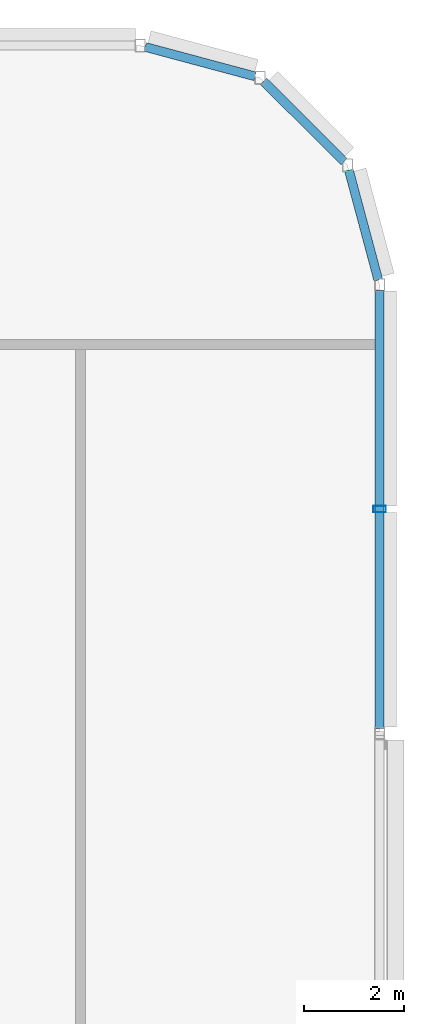
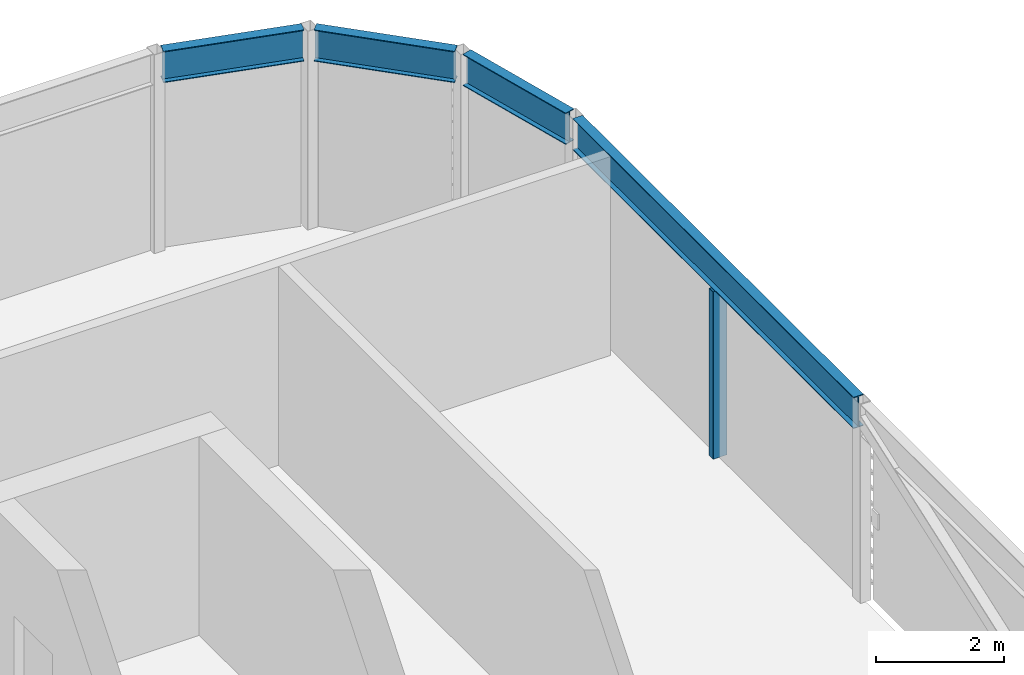
# One storey, part 14 of 28: 4 beams, 1 member.
"""IFC4 building model written with IfcOpenShell, lengths in metres."""

import ifcopenshell
import ifcopenshell.guid

model = None  # the IFC model being written
_history = None  # IfcOwnerHistory: only IFC2X3 demands one
_inside = {}  # id of a spatial element -> (the spatial element, [elements in it])
_under = {}  # id of a project, library or spatial element -> (it, [spatial elements below it])
_declared = {}  # id of a project -> (the project, [libraries it declares])
_typed = {}  # id of a type object -> (the type object, [elements of that type])
_made_of = {}  # id of a material, layer set ... -> (it, [elements and type objects made of it])


def new_model(schema):
    """Start an empty IFC model of exactly this schema.

    Asked for "IFC4X3", IfcOpenShell would pick the latest addendum, in which some entities
    have other attributes; the version numbers below select the first issue.
    IFC2X3 requires an IfcOwnerHistory on every rooted entity: one is made here for all.
    """
    global model, _history
    if schema == "IFC4X3":
        model = ifcopenshell.file(schema_version=(4, 3, 0, 0))
    else:
        model = ifcopenshell.file(schema=schema)
    _inside.clear()
    _under.clear()
    _declared.clear()
    _typed.clear()
    _made_of.clear()
    _history = None
    if model.schema == "IFC2X3":
        org = make("IfcOrganization", Name="unknown")
        user = make(
            "IfcPersonAndOrganization",
            ThePerson=make("IfcPerson", FamilyName="unknown"),
            TheOrganization=org,
        )
        app = make(
            "IfcApplication",
            ApplicationDeveloper=org,
            Version="unknown",
            ApplicationFullName="unknown",
            ApplicationIdentifier="unknown",
        )
        _history = make(
            "IfcOwnerHistory",
            OwningUser=user,
            OwningApplication=app,
            ChangeAction="ADDED",
            CreationDate=0,
        )
    return model


def make(cls, **values):
    """One entity of the class cls with the attributes given. An attribute that is None is left unset."""
    return model.create_entity(
        cls, **{name: value for name, value in values.items() if value is not None}
    )


def rooted(cls, **values):
    """An entity with a GlobalId (a new one), such as an element, a storey or a relation."""
    return make(cls, GlobalId=ifcopenshell.guid.new(), OwnerHistory=_history, **values)


def si_unit(unit_type, name, prefix=None):
    """IfcSIUnit, for example si_unit("LENGTHUNIT", "METRE", prefix="MILLI")."""
    return make("IfcSIUnit", UnitType=unit_type, Prefix=prefix, Name=name)


def assignment(units):
    """IfcUnitAssignment: the units of a project."""
    return None if units is None else make("IfcUnitAssignment", Units=units)


def point(xyz):
    """IfcCartesianPoint."""
    return None if xyz is None else make("IfcCartesianPoint", Coordinates=xyz)


def direction(xyz):
    """IfcDirection."""
    return None if xyz is None else make("IfcDirection", DirectionRatios=xyz)


def frame(location, z_axis=None, x_axis=None):
    """IfcAxis2Placement3D, a coordinate frame: its origin and axes. An axis left out is left unset."""
    return make(
        "IfcAxis2Placement3D",
        Location=point(location),
        Axis=direction(z_axis),
        RefDirection=direction(x_axis),
    )


def frame_2d(location, x_axis=None):
    """IfcAxis2Placement2D, a coordinate frame in the plane: its origin and x axis."""
    return make(
        "IfcAxis2Placement2D", Location=point(location), RefDirection=direction(x_axis)
    )


def origin():
    """The frame at (0, 0, 0) with its axes left unset."""
    return frame((0.0, 0.0, 0.0))


def origin_2d():
    """The frame at (0, 0) in the plane with its x axis left unset."""
    return frame_2d((0.0, 0.0))


def place(relative_to, where):
    """IfcLocalPlacement: puts the frame where relative to a parent placement (None: the world)."""
    return make(
        "IfcLocalPlacement", PlacementRelTo=relative_to, RelativePlacement=where
    )


def context(
    kind, dimensions, precision=None, world=None, true_north=None, identifier=None
):
    """IfcGeometricRepresentationContext, for example the 3D "Model" context."""
    return make(
        "IfcGeometricRepresentationContext",
        ContextIdentifier=identifier,
        ContextType=kind,
        CoordinateSpaceDimension=dimensions,
        Precision=precision,
        WorldCoordinateSystem=world,
        TrueNorth=true_north,
    )


def subcontext(parent, identifier, kind, view, scale=None):
    """IfcGeometricRepresentationSubContext, for example "Body" below "Model"."""
    return make(
        "IfcGeometricRepresentationSubContext",
        ContextIdentifier=identifier,
        ContextType=kind,
        ParentContext=parent,
        TargetScale=scale,
        TargetView=view,
    )


def project(units=None, contexts=None):
    """IfcProject with its units and contexts."""
    return rooted(
        "IfcProject",
        Name="project",
        RepresentationContexts=contexts,
        UnitsInContext=assignment(units),
    )


def spatial(cls, under=None, at=None, **own):
    """A site, building, storey or space (cls), placed at a placement, below another one or the project."""
    s = rooted(cls, ObjectPlacement=at, **own)
    if under is not None:
        _under.setdefault(under.id(), (under, []))[1].append(s)
    return s


def profile(cls, at=None, kind="AREA", **sizes):
    """A parametric profile (cls). Its sizes go by their IFC names, for example OverallWidth=200.0."""
    return make(cls, ProfileType=kind, Position=at, **sizes)


def hollow_rectangle(**sizes):
    """IfcRectangleHollowProfileDef."""
    return profile("IfcRectangleHollowProfileDef", **sizes)


def i_section(**sizes):
    """IfcIShapeProfileDef."""
    return profile("IfcIShapeProfileDef", **sizes)


def extrude(swept, where, along, depth):
    """IfcExtrudedAreaSolid: the profile swept, set in the frame where, extruded along a direction by depth."""
    return make(
        "IfcExtrudedAreaSolid",
        SweptArea=swept,
        Position=where,
        ExtrudedDirection=direction(along),
        Depth=depth,
    )


def shape(context_of_items, identifier, shape_type, items):
    """IfcShapeRepresentation: the items that make up one representation, for example the "Body"."""
    return make(
        "IfcShapeRepresentation",
        ContextOfItems=context_of_items,
        RepresentationIdentifier=identifier,
        RepresentationType=shape_type,
        Items=items,
    )


def material(Name=None, Category=None):
    """IfcMaterial."""
    return make("IfcMaterial", Name=Name, Category=Category)


def material_profile(
    of_material, cross_section, Name=None, Category=None, Priority=None
):
    """IfcMaterialProfile: a cross section and its material."""
    return make(
        "IfcMaterialProfile",
        Name=Name,
        Material=of_material,
        Profile=cross_section,
        Priority=Priority,
        Category=Category,
    )


def profile_set(profiles, Name=None, composite=None):
    """IfcMaterialProfileSet."""
    return make(
        "IfcMaterialProfileSet",
        Name=Name,
        MaterialProfiles=profiles,
        CompositeProfile=composite,
    )


def made_of(thing, what):
    """Note that an element or type object is made of a material, layer set ...; save() writes the relation."""
    if what is not None:
        _made_of.setdefault(what.id(), (what, []))[1].append(thing)
    return thing


def type_object(cls, material=None, **own):
    """A type object (cls), such as IfcWallType, which elements share."""
    return made_of(rooted(cls, **own), material)


def element(
    cls,
    number,
    at=None,
    inside=None,
    cuts=None,
    type_object=None,
    material=None,
    context=None,
    identifier="Body",
    shape_type=None,
    held_by="IfcProductDefinitionShape",
    body=None,
    shapes=None,
    **own,
):
    """One element of the class cls, such as IfcWall. Its Tag is "e" and its number.

    at: its placement. inside: the storey or other place that contains it. cuts: it is an
    opening in that element (IfcRelVoidsElement). A single representation is given by context,
    identifier, shape_type and body (its items); several are given by shapes. held_by: the class
    of the entity that holds the representations. save() writes the other relations.
    """
    e = rooted(cls, Tag="e%d" % number, ObjectPlacement=at, **own)
    if body is not None:
        shapes = [shape(context, identifier, shape_type, body)]
    if shapes is not None:
        e.Representation = make(held_by, Representations=shapes)
    if inside is not None:
        _inside.setdefault(inside.id(), (inside, []))[1].append(e)
    if cuts is not None:
        rooted(
            "IfcRelVoidsElement", RelatingBuildingElement=cuts, RelatedOpeningElement=e
        )
    if type_object is not None:
        _typed.setdefault(type_object.id(), (type_object, []))[1].append(e)
    return made_of(e, material)


def aggregate(whole, parts):
    """IfcRelAggregates: a whole, such as a stair, and the parts it consists of."""
    return rooted("IfcRelAggregates", RelatingObject=whole, RelatedObjects=parts)


def save(model, path):
    """Write the relations noted so far, then the file.

    IfcRelAggregates (storeys below a building ...), IfcRelContainedInSpatialStructure (elements
    in a storey), IfcRelDefinesByType, IfcRelAssociatesMaterial and IfcRelDeclares: one each for
    every whole, place, type object, material and project.
    """
    for whole, parts in _under.values():
        aggregate(whole, parts)
    for where, things in _inside.values():
        rooted(
            "IfcRelContainedInSpatialStructure",
            RelatedElements=things,
            RelatingStructure=where,
        )
    for kind, things in _typed.values():
        rooted("IfcRelDefinesByType", RelatedObjects=things, RelatingType=kind)
    for what, things in _made_of.values():
        rooted("IfcRelAssociatesMaterial", RelatedObjects=things, RelatingMaterial=what)
    for by, libraries in _declared.values():
        rooted("IfcRelDeclares", RelatingContext=by, RelatedDefinitions=libraries)
    model.write(path)


model = new_model("IFC4")

# Units and contexts
model_context = context("Model", 3, precision=1e-05, world=origin(), true_north=direction((0.0, 1.0)))
body_context = subcontext(model_context, "Body", "Model", "MODEL_VIEW")
ifc_project = project(units=[si_unit("LENGTHUNIT", "METRE"), si_unit("AREAUNIT", "SQUARE_METRE"), si_unit("VOLUMEUNIT", "CUBIC_METRE"), si_unit("PLANEANGLEUNIT", "RADIAN"), si_unit("MASSUNIT", "GRAM", prefix="KILO")], contexts=[model_context])

# Site, building, storey
site_placement = place(None, origin())
site = spatial("IfcSite", under=ifc_project, at=site_placement, CompositionType="ELEMENT")
building_placement = place(site_placement, origin())
building = spatial("IfcBuilding", under=site, at=building_placement, Name="Madar Terraces", CompositionType="ELEMENT")
storey_placement = place(building_placement, frame((0.0, 0.0, 310.10009765625)))
storey = spatial("IfcBuildingStorey", under=building, at=storey_placement, Name="L80", CompositionType="ELEMENT", Elevation=310.10009765625)

# Beams
ifc_material_1 = material(Name="Steel ASTM A992 Grade 50", Category="steel")
ifc_material_profile_1 = material_profile(ifc_material_1, i_section(OverallWidth=0.1787109375, OverallDepth=0.60205078125, WebThickness=0.010986328125, FlangeThickness=0.014892578125, at=origin_2d()), Name="W24x62")
ifc_profile_set_1 = profile_set([ifc_material_profile_1], Name="Steel ASTM A992 Grade 50")
beam_type = type_object("IfcBeamType", Name="CF2 W24x62", PredefinedType="BEAM", material=ifc_profile_set_1)
beam_1_placement = place(storey_placement, frame((56.39990234375, 33.1015625, 3.4990234375), z_axis=(0.0, 1.0, 0.0), x_axis=(-1.0, 0.0, 0.0)))
element("IfcBeam", 1, at=beam_1_placement, inside=storey, type_object=beam_type, Name="Crown frame ring beam CF2", PredefinedType="BEAM", context=body_context, shape_type="SweptSolid", body=[
    extrude(i_section(OverallWidth=0.1787109375, OverallDepth=0.60205078125, WebThickness=0.010986328125, FlangeThickness=0.014892578125, at=origin_2d()), origin(), (0.0, 0.0, 1.0), 8.796875),
])
beam_2_placement = place(storey_placement, frame((56.373779296875, 42.09814453125, 3.4990234375), z_axis=(-0.258868028067, 0.965912700012, 0.0), x_axis=(-0.965912700012, -0.258868028067, 0.0)))
element("IfcBeam", 2, at=beam_2_placement, inside=storey, type_object=beam_type, Name="Crown frame ring beam CF2", PredefinedType="BEAM", context=body_context, shape_type="SweptSolid", body=[
    extrude(i_section(OverallWidth=0.1787109375, OverallDepth=0.60205078125, WebThickness=0.010986328125, FlangeThickness=0.014892578125, at=origin_2d()), origin(), (0.0, 0.0, 1.0), 2.281494140625),
])
beam_3_placement = place(storey_placement, frame((55.68505859375, 44.471923828125, 3.4990234375), z_axis=(-0.707160287053, 0.707053271271, 0.0), x_axis=(-0.707053271271, -0.707160287053, 0.0)))
element("IfcBeam", 3, at=beam_3_placement, inside=storey, type_object=beam_type, Name="Crown frame ring beam CF2", PredefinedType="BEAM", context=body_context, shape_type="SweptSolid", body=[
    extrude(i_section(OverallWidth=0.1787109375, OverallDepth=0.60205078125, WebThickness=0.010986328125, FlangeThickness=0.014892578125, at=origin_2d()), origin(), (0.0, 0.0, 1.0), 2.28125),
])
beam_4_placement = place(storey_placement, frame((53.90185546875, 46.18310546875, 3.4990234375), z_axis=(-0.965912700012, 0.258868028067, 0.0), x_axis=(-0.258868028067, -0.965912700012, 0.0)))
element("IfcBeam", 4, at=beam_4_placement, inside=storey, type_object=beam_type, Name="Crown frame ring beam CF2", PredefinedType="BEAM", context=body_context, shape_type="SweptSolid", body=[
    extrude(i_section(OverallWidth=0.1787109375, OverallDepth=0.60205078125, WebThickness=0.010986328125, FlangeThickness=0.014892578125, at=origin_2d()), origin(), (0.0, 0.0, 1.0), 2.281494140625),
])

# Member
ifc_material_2 = material(Name="Steel ASTM A500 Grade C", Category="steel")
ifc_material_profile_2 = material_profile(ifc_material_2, hollow_rectangle(XDim=0.126953125, YDim=0.25390625, WallThickness=0.00634765625, InnerFilletRadius=0.0029296875, OuterFilletRadius=0.0087890625, at=origin_2d()), Name="HSS10x5x.25")
ifc_profile_set_2 = profile_set([ifc_material_profile_2], Name="Steel ASTM A500 Grade C")
member_type = type_object("IfcMemberType", Name="LS2 HSS10x5x.25", PredefinedType="POST", material=ifc_profile_set_2)
member_placement = place(storey_placement, frame((56.39990234375, 37.5, 0.0), z_axis=(0.0, 0.0, 1.0), x_axis=(0.0, 1.0, 0.0)))
element("IfcMember", 5, at=member_placement, inside=storey, type_object=member_type, Name="Crown louvre post LS2", PredefinedType="POST", context=body_context, shape_type="SweptSolid", body=[
    extrude(hollow_rectangle(XDim=0.126953125, YDim=0.25390625, WallThickness=0.00634765625, InnerFilletRadius=0.0029296875, OuterFilletRadius=0.0087890625, at=origin_2d()), origin(), (0.0, 0.0, 1.0), 3.197998046875),
])

save(model, "model.ifc")
